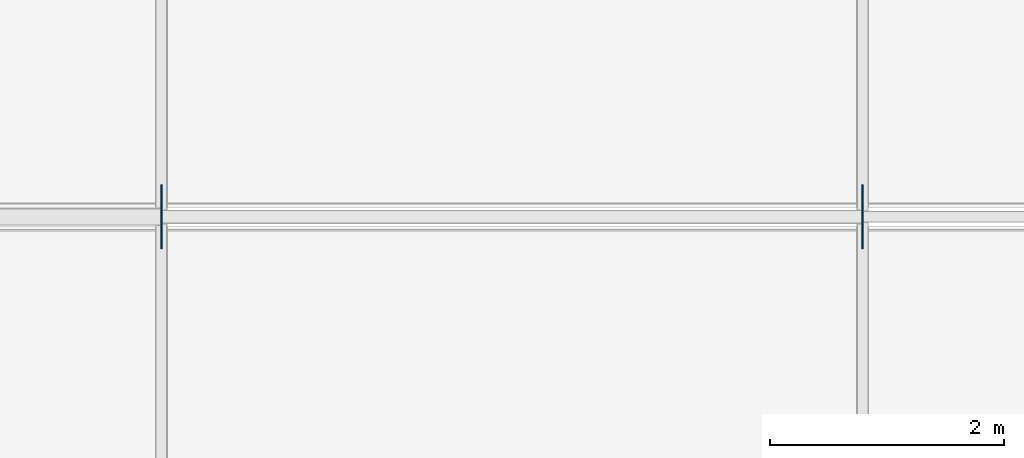
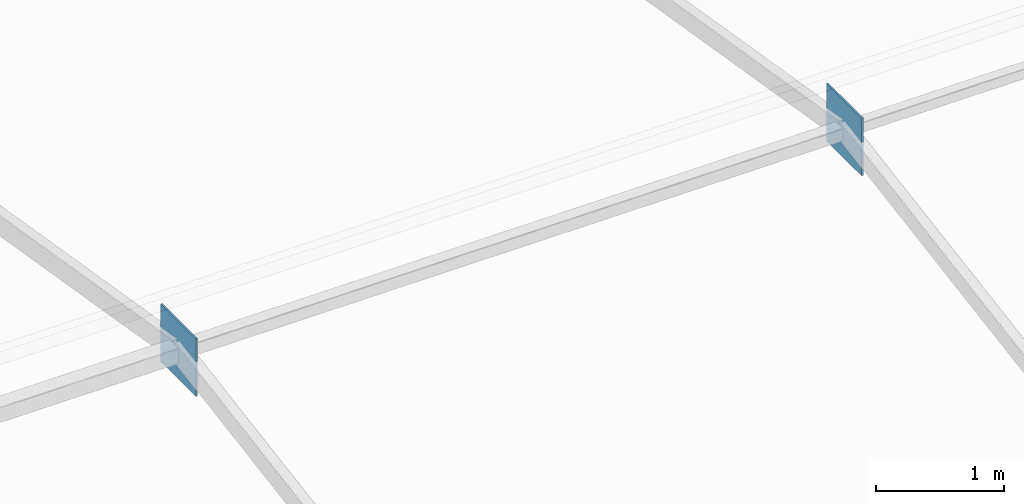
# One storey, part 250 of 262: 2 plates.
"""IFC4 building model written with IfcOpenShell, lengths in metres."""

from ifc_helpers import new_model, si_unit, derived_unit, direction, frame, origin, origin_2d, place, context, subcontext, project, spatial, rectangle, extrude, material, layer, layer_set, type_object, element, save


model = new_model("IFC4")

# Units and contexts
model_context = context("Model", 3, precision=1e-05, world=origin(), true_north=direction((0.0, 1.0)))
body_context = subcontext(model_context, "Body", "Model", "MODEL_VIEW")
ifc_project = project(units=[si_unit("LENGTHUNIT", "METRE"), si_unit("AREAUNIT", "SQUARE_METRE"), si_unit("VOLUMEUNIT", "CUBIC_METRE"), si_unit("PLANEANGLEUNIT", "RADIAN"), si_unit("MASSUNIT", "GRAM", prefix="KILO"), derived_unit("THERMALTRANSMITTANCEUNIT", [(si_unit("POWERUNIT", "WATT"), 1), (si_unit("LENGTHUNIT", "METRE"), -2), (si_unit("THERMODYNAMICTEMPERATUREUNIT", "KELVIN"), -1)])], contexts=[model_context])

# Site, building, storey
site_placement = place(None, origin())
site = spatial("IfcSite", under=ifc_project, at=site_placement, CompositionType="ELEMENT")
building_placement = place(site_placement, origin())
building = spatial("IfcBuilding", under=site, at=building_placement, Name="Almenara Railside Exhibition Hall", CompositionType="ELEMENT")
storey_placement = place(building_placement, frame((0.0, 0.0, 21.699951171875)))
storey = spatial("IfcBuildingStorey", under=building, at=storey_placement, Name="RF", CompositionType="ELEMENT", Elevation=21.699951171875)

# Plates
ifc_material = material(Name="Structural steel S355JR", Category="steel")
ifc_layer = layer(ifc_material, 0.01611328125, Name="Structural steel S355JR")
ifc_layer_set = layer_set([ifc_layer], Name="Structural steel S355JR")
plate_type = type_object("IfcPlateType", Name="Truss Node Gusset Plate 16mm S355JR", PredefinedType="USERDEFINED", material=ifc_layer_set)
for number, where, z_axis, x_axis, name in (
    (1, (186.0, 14.0, 0.8251953125), (0.0, 0.0, 1.0), (0.0, 1.0, 0.0), "PLT-GUS-0352"),
    (2, (192.0, 14.0, 0.8251953125), (0.0, 0.0, 1.0), (0.0, 1.0, 0.0), "PLT-GUS-0353"),
):
    element("IfcPlate", number, at=place(storey_placement, frame(where, z_axis=z_axis, x_axis=x_axis)), inside=storey, type_object=plate_type, Name=name, ObjectType="GUSSET_PLATE", PredefinedType="USERDEFINED", context=body_context, shape_type="SweptSolid", body=[
        extrude(rectangle(XDim=0.550048828125, YDim=0.01611328125, at=origin_2d()), origin(), (0.0, 0.0, 1.0), 0.550048828125),
    ])

save(model, "model.ifc")
